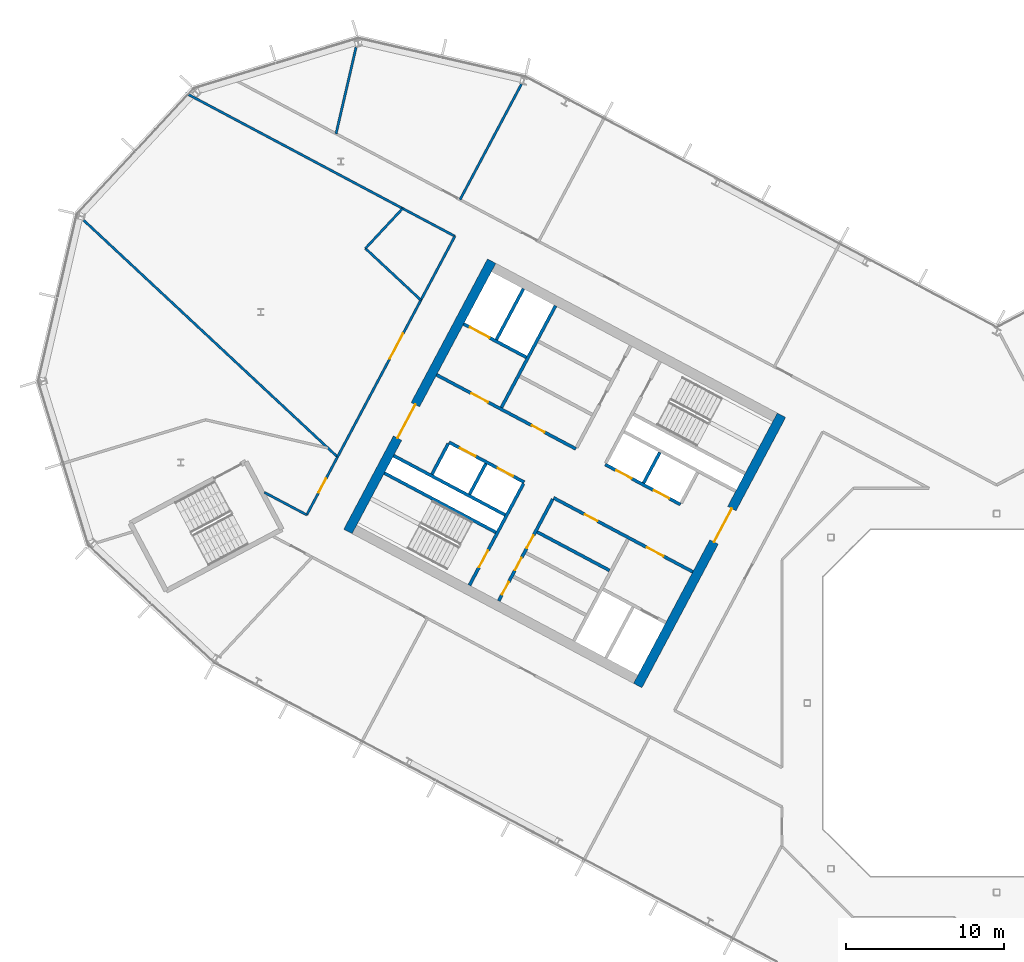
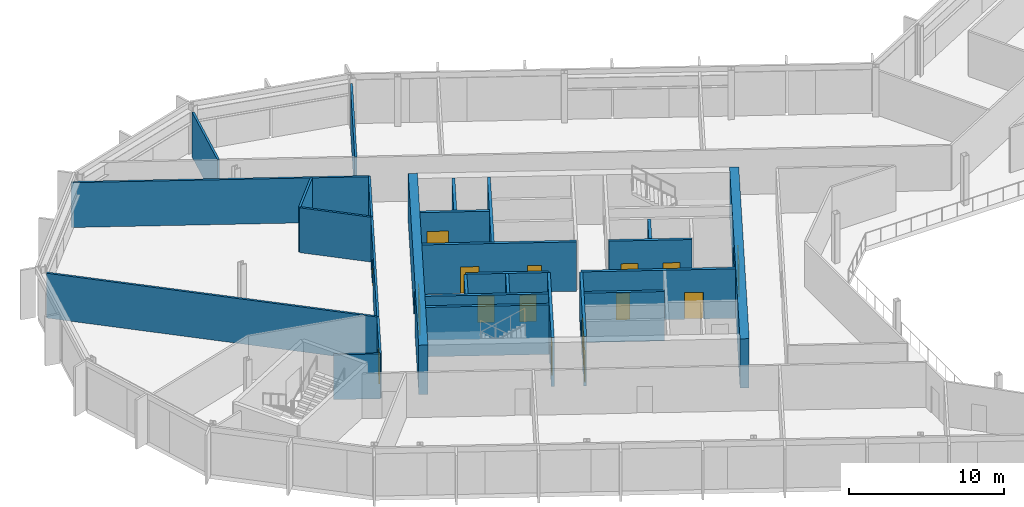
# One storey, part 14 of 27: 26 walls, 17 doors, 17 openings.
"""IFC4 building model written with IfcOpenShell, lengths in metres."""

import ifcopenshell
import ifcopenshell.guid

model = None  # the IFC model being written
_history = None  # IfcOwnerHistory: only IFC2X3 demands one
_inside = {}  # id of a spatial element -> (the spatial element, [elements in it])
_under = {}  # id of a project, library or spatial element -> (it, [spatial elements below it])
_declared = {}  # id of a project -> (the project, [libraries it declares])
_typed = {}  # id of a type object -> (the type object, [elements of that type])
_made_of = {}  # id of a material, layer set ... -> (it, [elements and type objects made of it])


def new_model(schema):
    """Start an empty IFC model of exactly this schema.

    Asked for "IFC4X3", IfcOpenShell would pick the latest addendum, in which some entities
    have other attributes; the version numbers below select the first issue.
    IFC2X3 requires an IfcOwnerHistory on every rooted entity: one is made here for all.
    """
    global model, _history
    if schema == "IFC4X3":
        model = ifcopenshell.file(schema_version=(4, 3, 0, 0))
    else:
        model = ifcopenshell.file(schema=schema)
    _inside.clear()
    _under.clear()
    _declared.clear()
    _typed.clear()
    _made_of.clear()
    _history = None
    if model.schema == "IFC2X3":
        org = make("IfcOrganization", Name="unknown")
        user = make(
            "IfcPersonAndOrganization",
            ThePerson=make("IfcPerson", FamilyName="unknown"),
            TheOrganization=org,
        )
        app = make(
            "IfcApplication",
            ApplicationDeveloper=org,
            Version="unknown",
            ApplicationFullName="unknown",
            ApplicationIdentifier="unknown",
        )
        _history = make(
            "IfcOwnerHistory",
            OwningUser=user,
            OwningApplication=app,
            ChangeAction="ADDED",
            CreationDate=0,
        )
    return model


def make(cls, **values):
    """One entity of the class cls with the attributes given. An attribute that is None is left unset."""
    return model.create_entity(
        cls, **{name: value for name, value in values.items() if value is not None}
    )


def rooted(cls, **values):
    """An entity with a GlobalId (a new one), such as an element, a storey or a relation."""
    return make(cls, GlobalId=ifcopenshell.guid.new(), OwnerHistory=_history, **values)


def si_unit(unit_type, name, prefix=None):
    """IfcSIUnit, for example si_unit("LENGTHUNIT", "METRE", prefix="MILLI")."""
    return make("IfcSIUnit", UnitType=unit_type, Prefix=prefix, Name=name)


def assignment(units):
    """IfcUnitAssignment: the units of a project."""
    return None if units is None else make("IfcUnitAssignment", Units=units)


def point(xyz):
    """IfcCartesianPoint."""
    return None if xyz is None else make("IfcCartesianPoint", Coordinates=xyz)


def direction(xyz):
    """IfcDirection."""
    return None if xyz is None else make("IfcDirection", DirectionRatios=xyz)


def frame(location, z_axis=None, x_axis=None):
    """IfcAxis2Placement3D, a coordinate frame: its origin and axes. An axis left out is left unset."""
    return make(
        "IfcAxis2Placement3D",
        Location=point(location),
        Axis=direction(z_axis),
        RefDirection=direction(x_axis),
    )


def frame_2d(location, x_axis=None):
    """IfcAxis2Placement2D, a coordinate frame in the plane: its origin and x axis."""
    return make(
        "IfcAxis2Placement2D", Location=point(location), RefDirection=direction(x_axis)
    )


def origin():
    """The frame at (0, 0, 0) with its axes left unset."""
    return frame((0.0, 0.0, 0.0))


def place(relative_to, where):
    """IfcLocalPlacement: puts the frame where relative to a parent placement (None: the world)."""
    return make(
        "IfcLocalPlacement", PlacementRelTo=relative_to, RelativePlacement=where
    )


def context(
    kind, dimensions, precision=None, world=None, true_north=None, identifier=None
):
    """IfcGeometricRepresentationContext, for example the 3D "Model" context."""
    return make(
        "IfcGeometricRepresentationContext",
        ContextIdentifier=identifier,
        ContextType=kind,
        CoordinateSpaceDimension=dimensions,
        Precision=precision,
        WorldCoordinateSystem=world,
        TrueNorth=true_north,
    )


def subcontext(parent, identifier, kind, view, scale=None):
    """IfcGeometricRepresentationSubContext, for example "Body" below "Model"."""
    return make(
        "IfcGeometricRepresentationSubContext",
        ContextIdentifier=identifier,
        ContextType=kind,
        ParentContext=parent,
        TargetScale=scale,
        TargetView=view,
    )


def project(units=None, contexts=None):
    """IfcProject with its units and contexts."""
    return rooted(
        "IfcProject",
        Name="project",
        RepresentationContexts=contexts,
        UnitsInContext=assignment(units),
    )


def spatial(cls, under=None, at=None, **own):
    """A site, building, storey or space (cls), placed at a placement, below another one or the project."""
    s = rooted(cls, ObjectPlacement=at, **own)
    if under is not None:
        _under.setdefault(under.id(), (under, []))[1].append(s)
    return s


def profile(cls, at=None, kind="AREA", **sizes):
    """A parametric profile (cls). Its sizes go by their IFC names, for example OverallWidth=200.0."""
    return make(cls, ProfileType=kind, Position=at, **sizes)


def rectangle(**sizes):
    """IfcRectangleProfileDef."""
    return profile("IfcRectangleProfileDef", **sizes)


def extrude(swept, where, along, depth):
    """IfcExtrudedAreaSolid: the profile swept, set in the frame where, extruded along a direction by depth."""
    return make(
        "IfcExtrudedAreaSolid",
        SweptArea=swept,
        Position=where,
        ExtrudedDirection=direction(along),
        Depth=depth,
    )


def shape(context_of_items, identifier, shape_type, items):
    """IfcShapeRepresentation: the items that make up one representation, for example the "Body"."""
    return make(
        "IfcShapeRepresentation",
        ContextOfItems=context_of_items,
        RepresentationIdentifier=identifier,
        RepresentationType=shape_type,
        Items=items,
    )


def material(Name=None, Category=None):
    """IfcMaterial."""
    return make("IfcMaterial", Name=Name, Category=Category)


def layer(
    of_material, thickness, ventilated=None, Name=None, Category=None, Priority=None
):
    """IfcMaterialLayer: one layer of a wall or slab, of a material (None: an air gap)."""
    return make(
        "IfcMaterialLayer",
        Material=of_material,
        LayerThickness=thickness,
        IsVentilated=ventilated,
        Name=Name,
        Category=Category,
        Priority=Priority,
    )


def layer_set(layers, Name=None):
    """IfcMaterialLayerSet."""
    return make("IfcMaterialLayerSet", MaterialLayers=layers, LayerSetName=Name)


def made_of(thing, what):
    """Note that an element or type object is made of a material, layer set ...; save() writes the relation."""
    if what is not None:
        _made_of.setdefault(what.id(), (what, []))[1].append(thing)
    return thing


def type_object(cls, material=None, **own):
    """A type object (cls), such as IfcWallType, which elements share."""
    return made_of(rooted(cls, **own), material)


def element(
    cls,
    number,
    at=None,
    inside=None,
    cuts=None,
    type_object=None,
    material=None,
    context=None,
    identifier="Body",
    shape_type=None,
    held_by="IfcProductDefinitionShape",
    body=None,
    shapes=None,
    **own,
):
    """One element of the class cls, such as IfcWall. Its Tag is "e" and its number.

    at: its placement. inside: the storey or other place that contains it. cuts: it is an
    opening in that element (IfcRelVoidsElement). A single representation is given by context,
    identifier, shape_type and body (its items); several are given by shapes. held_by: the class
    of the entity that holds the representations. save() writes the other relations.
    """
    e = rooted(cls, Tag="e%d" % number, ObjectPlacement=at, **own)
    if body is not None:
        shapes = [shape(context, identifier, shape_type, body)]
    if shapes is not None:
        e.Representation = make(held_by, Representations=shapes)
    if inside is not None:
        _inside.setdefault(inside.id(), (inside, []))[1].append(e)
    if cuts is not None:
        rooted(
            "IfcRelVoidsElement", RelatingBuildingElement=cuts, RelatedOpeningElement=e
        )
    if type_object is not None:
        _typed.setdefault(type_object.id(), (type_object, []))[1].append(e)
    return made_of(e, material)


def fill(opening, filler):
    """IfcRelFillsElement: the door or window that sits in an opening."""
    return rooted(
        "IfcRelFillsElement",
        RelatingOpeningElement=opening,
        RelatedBuildingElement=filler,
    )


def aggregate(whole, parts):
    """IfcRelAggregates: a whole, such as a stair, and the parts it consists of."""
    return rooted("IfcRelAggregates", RelatingObject=whole, RelatedObjects=parts)


def save(model, path):
    """Write the relations noted so far, then the file.

    IfcRelAggregates (storeys below a building ...), IfcRelContainedInSpatialStructure (elements
    in a storey), IfcRelDefinesByType, IfcRelAssociatesMaterial and IfcRelDeclares: one each for
    every whole, place, type object, material and project.
    """
    for whole, parts in _under.values():
        aggregate(whole, parts)
    for where, things in _inside.values():
        rooted(
            "IfcRelContainedInSpatialStructure",
            RelatedElements=things,
            RelatingStructure=where,
        )
    for kind, things in _typed.values():
        rooted("IfcRelDefinesByType", RelatedObjects=things, RelatingType=kind)
    for what, things in _made_of.values():
        rooted("IfcRelAssociatesMaterial", RelatedObjects=things, RelatingMaterial=what)
    for by, libraries in _declared.values():
        rooted("IfcRelDeclares", RelatingContext=by, RelatedDefinitions=libraries)
    model.write(path)


model = new_model("IFC4")

# Units and contexts
model_context = context("Model", 3, precision=1e-05, world=origin(), true_north=direction((0.0, 1.0)))
body_context = subcontext(model_context, "Body", "Model", "MODEL_VIEW")
ifc_project = project(units=[si_unit("LENGTHUNIT", "METRE"), si_unit("AREAUNIT", "SQUARE_METRE"), si_unit("VOLUMEUNIT", "CUBIC_METRE"), si_unit("PLANEANGLEUNIT", "RADIAN"), si_unit("MASSUNIT", "GRAM", prefix="KILO")], contexts=[model_context])

# Site, building, storey
site_placement = place(None, origin())
site = spatial("IfcSite", under=ifc_project, at=site_placement, CompositionType="ELEMENT")
building_placement = place(site_placement, origin())
building = spatial("IfcBuilding", under=site, at=building_placement, Name="Cormorant Relay Tower", CompositionType="ELEMENT")
storey_placement = place(building_placement, frame((0.0, 0.0, 224.699951171875)))
storey = spatial("IfcBuildingStorey", under=building, at=storey_placement, Name="L49", CompositionType="ELEMENT", Elevation=224.699951171875)

# Walls
ifc_material_1 = material(Name="Concrete 40 MPa", Category="concrete")
ifc_layer_1 = layer(ifc_material_1, 0.199951171875)
ifc_layer_set_1 = layer_set([ifc_layer_1], Name="Core internal wall 200")
wall_type_1 = type_object("IfcWallType", Name="Core internal wall 200", PredefinedType="SOLIDWALL", material=ifc_layer_set_1)
wall_1_placement = place(storey_placement, frame((-21.34375, 15.87890625, 0.0), z_axis=(0.0, 0.0, 1.0), x_axis=(-0.4694473164, -0.882960484464, 0.0)))
element("IfcWall", 1, at=wall_1_placement, inside=storey, type_object=wall_type_1, Name="L49 core A shaft and room wall", PredefinedType="SOLIDWALL", context=body_context, shape_type="SweptSolid", body=[
    extrude(rectangle(XDim=2.199951171875, YDim=0.199951171875, at=frame_2d((1.10009765625, 0.0))), origin(), (0.0, 0.0, 1.0), 3.900146484375),
])
wall_2_placement = place(storey_placement, frame((-32.3662109375, 15.1708984375, 0.0), z_axis=(0.0, 0.0, 1.0), x_axis=(-0.469487830541, -0.882938942948, 0.0)))
element("IfcWall", 2, at=wall_2_placement, inside=storey, type_object=wall_type_1, Name="L49 core A shaft and room wall", PredefinedType="SOLIDWALL", context=body_context, shape_type="SweptSolid", body=[
    extrude(rectangle(XDim=2.2001953125, YDim=0.199951171875, at=frame_2d((1.10009765625, 0.0))), origin(), (0.0, 0.0, 1.0), 3.900146484375),
])

# Wall, openings, doors
ifc_material_2 = material(Name="Concrete 50 MPa", Category="concrete")
ifc_layer_2 = layer(ifc_material_2, 0.199951171875)
ifc_layer_set_2 = layer_set([ifc_layer_2], Name="Core shaft wall 200")
wall_type_2 = type_object("IfcWallType", Name="Core shaft wall 200", PredefinedType="SHEAR", material=ifc_layer_set_2)
wall_3_placement = place(storey_placement, frame((-28.128173828125, 12.91748046875, 0.0), z_axis=(0.0, 0.0, 1.0), x_axis=(-0.469454336211, -0.882956752176, 0.0)))
wall_3 = element("IfcWall", 3, at=wall_3_placement, inside=storey, type_object=wall_type_2, Name="L49 core A shaft wall", PredefinedType="SHEAR", context=body_context, shape_type="SweptSolid", body=[
    extrude(rectangle(XDim=7.300048828125, YDim=0.199951171875, at=frame_2d((3.64990234375, 0.0))), origin(), (0.0, 0.0, 1.0), 3.900146484375),
])
opening_1_placement = place(wall_3_placement, frame((2.60009765625, 0.0, 0.0)))
opening_1 = element("IfcOpeningElement", 4, at=opening_1_placement, cuts=wall_3, Name="Opening CDD-278", PredefinedType="OPENING", context=body_context, shape_type="SweptSolid", body=[
    extrude(rectangle(XDim=0.89990234375, YDim=2.10009765625, at=frame_2d((0.449951171875, 1.050048828125))), frame((0.0, 0.10986328125, 0.0), z_axis=(0.0, -1.0, 0.0), x_axis=(1.0, 0.0, 0.0)), (0.0, 0.0, 1.0), 0.219970703125),
])
opening_2_placement = place(wall_3_placement, frame((4.199951171875, 0.0, 0.0)))
opening_2 = element("IfcOpeningElement", 5, at=opening_2_placement, cuts=wall_3, Name="Opening CDD-279", PredefinedType="OPENING", context=body_context, shape_type="SweptSolid", body=[
    extrude(rectangle(XDim=0.89990234375, YDim=2.10009765625, at=frame_2d((0.449951171875, 1.050048828125))), frame((0.0, 0.10986328125, 0.0), z_axis=(0.0, -1.0, 0.0), x_axis=(1.0, 0.0, 0.0)), (0.0, 0.0, 1.0), 0.219970703125),
])
opening_3_placement = place(wall_3_placement, frame((5.949951171875, 0.0, 0.0)))
opening_3 = element("IfcOpeningElement", 6, at=opening_3_placement, cuts=wall_3, Name="Opening CDD-280", PredefinedType="OPENING", context=body_context, shape_type="SweptSolid", body=[
    extrude(rectangle(XDim=0.89990234375, YDim=2.10009765625, at=frame_2d((0.449951171875, 1.050048828125))), frame((0.0, 0.10986328125, 0.0), z_axis=(0.0, -1.0, 0.0), x_axis=(1.0, 0.0, 0.0)), (0.0, 0.0, 1.0), 0.219970703125),
])
ifc_material_3 = material(Name="Steel fire door", Category="steel")
door_type_1 = type_object("IfcDoorType", Name="Core room door 900x2100", OperationType="SINGLE_SWING_LEFT", PredefinedType="DOOR", material=ifc_material_3)
door_1_placement = place(opening_1_placement, origin())
door_1 = element("IfcDoor", 7, at=door_1_placement, inside=storey, type_object=door_type_1, Name="Core room door 900x2100", OperationType="SINGLE_SWING_LEFT", OverallHeight=2.10009765625, OverallWidth=0.89990234375, PredefinedType="DOOR", context=body_context, shape_type="SweptSolid", body=[
    extrude(rectangle(XDim=0.89990234375, YDim=2.10009765625, at=frame_2d((0.449951171875, 1.050048828125))), frame((0.0, 0.02490234375, 0.0), z_axis=(0.0, -1.0, 0.0), x_axis=(1.0, 0.0, 0.0)), (0.0, 0.0, 1.0), 0.050048828125),
])
fill(opening_1, door_1)
door_2_placement = place(opening_2_placement, origin())
door_2 = element("IfcDoor", 8, at=door_2_placement, inside=storey, type_object=door_type_1, Name="Core room door 900x2100", OperationType="SINGLE_SWING_LEFT", OverallHeight=2.10009765625, OverallWidth=0.89990234375, PredefinedType="DOOR", context=body_context, shape_type="SweptSolid", body=[
    extrude(rectangle(XDim=0.89990234375, YDim=2.10009765625, at=frame_2d((0.449951171875, 1.050048828125))), frame((0.0, 0.02490234375, 0.0), z_axis=(0.0, -1.0, 0.0), x_axis=(1.0, 0.0, 0.0)), (0.0, 0.0, 1.0), 0.050048828125),
])
fill(opening_2, door_2)
door_3_placement = place(opening_3_placement, origin())
door_3 = element("IfcDoor", 9, at=door_3_placement, inside=storey, type_object=door_type_1, Name="Core room door 900x2100", OperationType="SINGLE_SWING_LEFT", OverallHeight=2.10009765625, OverallWidth=0.89990234375, PredefinedType="DOOR", context=body_context, shape_type="SweptSolid", body=[
    extrude(rectangle(XDim=0.89990234375, YDim=2.10009765625, at=frame_2d((0.449951171875, 1.050048828125))), frame((0.0, 0.02490234375, 0.0), z_axis=(0.0, -1.0, 0.0), x_axis=(1.0, 0.0, 0.0)), (0.0, 0.0, 1.0), 0.050048828125),
])
fill(opening_3, door_3)

# Wall, opening, door
wall_4_placement = place(storey_placement, frame((-29.982421875, 13.9033203125, 0.0), z_axis=(0.0, 0.0, 1.0), x_axis=(-0.469454336211, -0.882956752176, 0.0)))
wall_4 = element("IfcWall", 10, at=wall_4_placement, inside=storey, type_object=wall_type_2, Name="L49 core A shaft wall", PredefinedType="SHEAR", context=body_context, shape_type="SweptSolid", body=[
    extrude(rectangle(XDim=7.300048828125, YDim=0.199951171875, at=frame_2d((3.64990234375, 0.0))), origin(), (0.0, 0.0, 1.0), 3.900146484375),
])
opening_4_placement = place(wall_4_placement, frame((4.800048828125, 0.0, 0.0)))
opening_4 = element("IfcOpeningElement", 11, at=opening_4_placement, cuts=wall_4, Name="Opening CDB-039", PredefinedType="OPENING", context=body_context, shape_type="SweptSolid", body=[
    extrude(rectangle(XDim=1.199951171875, YDim=2.10009765625, at=frame_2d((0.60009765625, 1.050048828125))), frame((0.0, 0.10986328125, 0.0), z_axis=(0.0, -1.0, 0.0), x_axis=(1.0, 0.0, 0.0)), (0.0, 0.0, 1.0), 0.219970703125),
])
ifc_material_4 = material(Name="Steel fire door", Category="steel")
door_type_2 = type_object("IfcDoorType", Name="Core stair door 1200x2100", OperationType="SINGLE_SWING_LEFT", PredefinedType="DOOR", material=ifc_material_4)
door_4_placement = place(opening_4_placement, frame((1.199951171875, 0.0, 0.0), z_axis=(0.0, 0.0, 1.0), x_axis=(-1.0, 0.0, 0.0)))
door_4 = element("IfcDoor", 12, at=door_4_placement, inside=storey, type_object=door_type_2, Name="Core stair door 1200x2100", OperationType="SINGLE_SWING_RIGHT", OverallHeight=2.10009765625, OverallWidth=1.199951171875, PredefinedType="DOOR", context=body_context, shape_type="SweptSolid", body=[
    extrude(rectangle(XDim=1.199951171875, YDim=2.10009765625, at=frame_2d((0.60009765625, 1.050048828125))), frame((0.0, 0.02490234375, 0.0), z_axis=(0.0, -1.0, 0.0), x_axis=(1.0, 0.0, 0.0)), (0.0, 0.0, 1.0), 0.050048828125),
])
fill(opening_4, door_4)

# Walls
wall_5_placement = place(storey_placement, frame((-27.955322265625, 25.170654296875, 0.0), z_axis=(0.0, 0.0, 1.0), x_axis=(-0.469480409012, -0.88294288918, 0.0)))
element("IfcWall", 13, at=wall_5_placement, inside=storey, type_object=wall_type_2, Name="L49 core A shaft wall", PredefinedType="SHEAR", context=body_context, shape_type="SweptSolid", body=[
    extrude(rectangle(XDim=7.300048828125, YDim=0.199951171875, at=frame_2d((3.64990234375, 0.0))), origin(), (0.0, 0.0, 1.0), 3.900146484375),
])
wall_6_placement = place(storey_placement, frame((-34.750244140625, 16.4384765625, 0.0), z_axis=(0.0, 0.0, 1.0), x_axis=(-0.469401318492, -0.882984938828, 0.0)))
element("IfcWall", 14, at=wall_6_placement, inside=storey, type_object=wall_type_2, Name="L49 core A shaft wall", PredefinedType="SHEAR", context=body_context, shape_type="SweptSolid", body=[
    extrude(rectangle(XDim=2.199951171875, YDim=0.199951171875, at=frame_2d((1.10009765625, 0.0))), origin(), (0.0, 0.0, 1.0), 3.900146484375),
])
wall_7_placement = place(storey_placement, frame((-29.986083984375, 26.250244140625, 0.0), z_axis=(0.0, 0.0, 1.0), x_axis=(-0.469494272526, -0.882935517501, 0.0)))
element("IfcWall", 15, at=wall_7_placement, inside=storey, type_object=wall_type_2, Name="L49 core A shaft wall", PredefinedType="SHEAR", context=body_context, shape_type="SweptSolid", body=[
    extrude(rectangle(XDim=3.64990234375, YDim=0.199951171875, at=frame_2d((1.824951171875, 0.0))), origin(), (0.0, 0.0, 1.0), 3.900146484375),
])

# Wall, opening, door
wall_8_placement = place(storey_placement, frame((-29.80419921875, 21.906494140625, 0.0), z_axis=(0.0, 0.0, 1.0), x_axis=(-0.882960433586, 0.469447412093, 0.0)))
wall_8 = element("IfcWall", 16, at=wall_8_placement, inside=storey, type_object=wall_type_2, Name="L49 core A shaft wall", PredefinedType="SHEAR", context=body_context, shape_type="SweptSolid", body=[
    extrude(rectangle(XDim=4.5, YDim=0.199951171875, at=frame_2d((2.25, 0.0))), origin(), (0.0, 0.0, 1.0), 3.900146484375),
])
opening_5_placement = place(wall_8_placement, frame((2.64990234375, 0.0, 0.0)))
opening_5 = element("IfcOpeningElement", 17, at=opening_5_placement, cuts=wall_8, Name="Opening LD3-015", PredefinedType="OPENING", context=body_context, shape_type="SweptSolid", body=[
    extrude(rectangle(XDim=1.39990234375, YDim=2.39990234375, at=frame_2d((0.699951171875, 1.199951171875))), frame((0.0, 0.10986328125, 0.0), z_axis=(0.0, -1.0, 0.0), x_axis=(1.0, 0.0, 0.0)), (0.0, 0.0, 1.0), 0.219970703125),
])
ifc_material_5 = material(Name="Stainless steel 316", Category="steel")
door_type_3 = type_object("IfcDoorType", Name="Lift landing door 1400x2400", OperationType="DOUBLE_DOOR_SLIDING", PredefinedType="DOOR", material=ifc_material_5)
door_5_placement = place(opening_5_placement, origin())
door_5 = element("IfcDoor", 18, at=door_5_placement, inside=storey, type_object=door_type_3, Name="SV1 landing door", OperationType="DOUBLE_DOOR_SLIDING", OverallHeight=2.39990234375, OverallWidth=1.39990234375, PredefinedType="DOOR", context=body_context, shape_type="SweptSolid", body=[
    extrude(rectangle(XDim=1.39990234375, YDim=2.39990234375, at=frame_2d((0.699951171875, 1.199951171875))), frame((0.0, 0.02490234375, 0.0), z_axis=(0.0, -1.0, 0.0), x_axis=(1.0, 0.0, 0.0)), (0.0, 0.0, 1.0), 0.050048828125),
])
fill(opening_5, door_5)

# Wall, openings, doors
wall_9_placement = place(storey_placement, frame((-20.03955078125, 12.58056640625, 0.0), z_axis=(0.0, 0.0, 1.0), x_axis=(-0.882942972946, 0.469480251476, 0.0)))
wall_9 = element("IfcWall", 19, at=wall_9_placement, inside=storey, type_object=wall_type_2, Name="L49 core A shaft wall", PredefinedType="SHEAR", context=body_context, shape_type="SweptSolid", body=[
    extrude(rectangle(XDim=5.39990234375, YDim=0.199951171875, at=frame_2d((2.699951171875, 0.0))), origin(), (0.0, 0.0, 1.0), 3.900146484375),
])
opening_6_placement = place(wall_9_placement, frame((0.800048828125, 0.0, 0.0)))
opening_6 = element("IfcOpeningElement", 20, at=opening_6_placement, cuts=wall_9, Name="Opening LD1-061", PredefinedType="OPENING", context=body_context, shape_type="SweptSolid", body=[
    extrude(rectangle(XDim=1.10009765625, YDim=2.10009765625, at=frame_2d((0.550048828125, 1.050048828125))), frame((0.0, 0.10986328125, 0.0), z_axis=(0.0, -1.0, 0.0), x_axis=(1.0, 0.0, 0.0)), (0.0, 0.0, 1.0), 0.219970703125),
])
opening_7_placement = place(wall_9_placement, frame((3.5, 0.0, 0.0)))
opening_7 = element("IfcOpeningElement", 21, at=opening_7_placement, cuts=wall_9, Name="Opening LD1-062", PredefinedType="OPENING", context=body_context, shape_type="SweptSolid", body=[
    extrude(rectangle(XDim=1.10009765625, YDim=2.10009765625, at=frame_2d((0.550048828125, 1.050048828125))), frame((0.0, 0.10986328125, 0.0), z_axis=(0.0, -1.0, 0.0), x_axis=(1.0, 0.0, 0.0)), (0.0, 0.0, 1.0), 0.219970703125),
])
ifc_material_6 = material(Name="Stainless steel 316", Category="steel")
door_type_4 = type_object("IfcDoorType", Name="Lift landing door 1100x2100", OperationType="DOUBLE_DOOR_SLIDING", PredefinedType="DOOR", material=ifc_material_6)
door_6_placement = place(opening_6_placement, origin())
door_6 = element("IfcDoor", 22, at=door_6_placement, inside=storey, type_object=door_type_4, Name="MR3 landing door", OperationType="DOUBLE_DOOR_SLIDING", OverallHeight=2.10009765625, OverallWidth=1.10009765625, PredefinedType="DOOR", context=body_context, shape_type="SweptSolid", body=[
    extrude(rectangle(XDim=1.10009765625, YDim=2.10009765625, at=frame_2d((0.550048828125, 1.050048828125))), frame((0.0, 0.02490234375, 0.0), z_axis=(0.0, -1.0, 0.0), x_axis=(1.0, 0.0, 0.0)), (0.0, 0.0, 1.0), 0.050048828125),
])
fill(opening_6, door_6)
door_7_placement = place(opening_7_placement, origin())
door_7 = element("IfcDoor", 23, at=door_7_placement, inside=storey, type_object=door_type_4, Name="MR4 landing door", OperationType="DOUBLE_DOOR_SLIDING", OverallHeight=2.10009765625, OverallWidth=1.10009765625, PredefinedType="DOOR", context=body_context, shape_type="SweptSolid", body=[
    extrude(rectangle(XDim=1.10009765625, YDim=2.10009765625, at=frame_2d((0.550048828125, 1.050048828125))), frame((0.0, 0.02490234375, 0.0), z_axis=(0.0, -1.0, 0.0), x_axis=(1.0, 0.0, 0.0)), (0.0, 0.0, 1.0), 0.050048828125),
])
fill(opening_7, door_7)

wall_10_placement = place(storey_placement, frame((-26.66162109375, 16.1015625, 0.0), z_axis=(0.0, 0.0, 1.0), x_axis=(-0.882940221191, 0.469485426614, 0.0)))
wall_10 = element("IfcWall", 24, at=wall_10_placement, inside=storey, type_object=wall_type_2, Name="L49 core A shaft wall", PredefinedType="SHEAR", context=body_context, shape_type="SweptSolid", body=[
    extrude(rectangle(XDim=10.0, YDim=0.199951171875, at=frame_2d((5.0, 0.0))), origin(), (0.0, 0.0, 1.0), 3.900146484375),
])
opening_8_placement = place(wall_10_placement, frame((6.300048828125, 0.0, 0.0)))
opening_8 = element("IfcOpeningElement", 25, at=opening_8_placement, cuts=wall_10, Name="Opening CDC-034", PredefinedType="OPENING", context=body_context, shape_type="SweptSolid", body=[
    extrude(rectangle(XDim=1.199951171875, YDim=2.10009765625, at=frame_2d((0.60009765625, 1.050048828125))), frame((0.0, 0.10986328125, 0.0), z_axis=(0.0, -1.0, 0.0), x_axis=(1.0, 0.0, 0.0)), (0.0, 0.0, 1.0), 0.219970703125),
])
opening_9_placement = place(wall_10_placement, frame((2.25, 0.0, 0.0)))
opening_9 = element("IfcOpeningElement", 26, at=opening_9_placement, cuts=wall_10, Name="Opening CDD-255", PredefinedType="OPENING", context=body_context, shape_type="SweptSolid", body=[
    extrude(rectangle(XDim=0.89990234375, YDim=2.10009765625, at=frame_2d((0.449951171875, 1.050048828125))), frame((0.0, 0.10986328125, 0.0), z_axis=(0.0, -1.0, 0.0), x_axis=(1.0, 0.0, 0.0)), (0.0, 0.0, 1.0), 0.219970703125),
])
ifc_material_7 = material(Name="Steel fire door", Category="steel")
door_type_5 = type_object("IfcDoorType", Name="Core lobby door 1200x2100", OperationType="SINGLE_SWING_LEFT", PredefinedType="DOOR", material=ifc_material_7)
door_8_placement = place(opening_8_placement, origin())
door_8 = element("IfcDoor", 27, at=door_8_placement, inside=storey, type_object=door_type_5, Name="Core lobby door 1200x2100", OperationType="SINGLE_SWING_LEFT", OverallHeight=2.10009765625, OverallWidth=1.199951171875, PredefinedType="DOOR", context=body_context, shape_type="SweptSolid", body=[
    extrude(rectangle(XDim=1.199951171875, YDim=2.10009765625, at=frame_2d((0.60009765625, 1.050048828125))), frame((0.0, 0.02490234375, 0.0), z_axis=(0.0, -1.0, 0.0), x_axis=(1.0, 0.0, 0.0)), (0.0, 0.0, 1.0), 0.050048828125),
])
fill(opening_8, door_8)
door_9_placement = place(opening_9_placement, origin())
door_9 = element("IfcDoor", 28, at=door_9_placement, inside=storey, type_object=door_type_1, Name="Core room door 900x2100", OperationType="SINGLE_SWING_LEFT", OverallHeight=2.10009765625, OverallWidth=0.89990234375, PredefinedType="DOOR", context=body_context, shape_type="SweptSolid", body=[
    extrude(rectangle(XDim=0.89990234375, YDim=2.10009765625, at=frame_2d((0.449951171875, 1.050048828125))), frame((0.0, 0.02490234375, 0.0), z_axis=(0.0, -1.0, 0.0), x_axis=(1.0, 0.0, 0.0)), (0.0, 0.0, 1.0), 0.050048828125),
])
fill(opening_9, door_9)

wall_11_placement = place(storey_placement, frame((-19.251708984375, 8.31103515625, 0.0), z_axis=(0.0, 0.0, 1.0), x_axis=(-0.882955722218, 0.469456273365, 0.0)))
wall_11 = element("IfcWall", 29, at=wall_11_placement, inside=storey, type_object=wall_type_2, Name="L49 core A shaft wall", PredefinedType="SHEAR", context=body_context, shape_type="SweptSolid", body=[
    extrude(rectangle(XDim=10.0, YDim=0.199951171875, at=frame_2d((5.0, 0.0))), origin(), (0.0, 0.0, 1.0), 3.900146484375),
])
opening_10_placement = place(wall_11_placement, frame((2.10009765625, 0.0, 0.0)))
opening_10 = element("IfcOpeningElement", 30, at=opening_10_placement, cuts=wall_11, Name="Opening CDC-033", PredefinedType="OPENING", context=body_context, shape_type="SweptSolid", body=[
    extrude(rectangle(XDim=1.199951171875, YDim=2.10009765625, at=frame_2d((0.60009765625, 1.050048828125))), frame((0.0, 0.10986328125, 0.0), z_axis=(0.0, -1.0, 0.0), x_axis=(1.0, 0.0, 0.0)), (0.0, 0.0, 1.0), 0.219970703125),
])
opening_11_placement = place(wall_11_placement, frame((6.85009765625, 0.0, 0.0)))
opening_11 = element("IfcOpeningElement", 31, at=opening_11_placement, cuts=wall_11, Name="Opening CDD-254", PredefinedType="OPENING", context=body_context, shape_type="SweptSolid", body=[
    extrude(rectangle(XDim=0.89990234375, YDim=2.10009765625, at=frame_2d((0.449951171875, 1.050048828125))), frame((0.0, 0.10986328125, 0.0), z_axis=(0.0, -1.0, 0.0), x_axis=(1.0, 0.0, 0.0)), (0.0, 0.0, 1.0), 0.219970703125),
])
door_10_placement = place(opening_10_placement, origin())
door_10 = element("IfcDoor", 32, at=door_10_placement, inside=storey, type_object=door_type_5, Name="Core lobby door 1200x2100", OperationType="SINGLE_SWING_RIGHT", OverallHeight=2.10009765625, OverallWidth=1.199951171875, PredefinedType="DOOR", context=body_context, shape_type="SweptSolid", body=[
    extrude(rectangle(XDim=1.199951171875, YDim=2.10009765625, at=frame_2d((0.60009765625, 1.050048828125))), frame((0.0, 0.02490234375, 0.0), z_axis=(0.0, -1.0, 0.0), x_axis=(1.0, 0.0, 0.0)), (0.0, 0.0, 1.0), 0.050048828125),
])
fill(opening_10, door_10)
door_11_placement = place(opening_11_placement, origin())
door_11 = element("IfcDoor", 33, at=door_11_placement, inside=storey, type_object=door_type_1, Name="Core room door 900x2100", OperationType="SINGLE_SWING_LEFT", OverallHeight=2.10009765625, OverallWidth=0.89990234375, PredefinedType="DOOR", context=body_context, shape_type="SweptSolid", body=[
    extrude(rectangle(XDim=0.89990234375, YDim=2.10009765625, at=frame_2d((0.449951171875, 1.050048828125))), frame((0.0, 0.02490234375, 0.0), z_axis=(0.0, -1.0, 0.0), x_axis=(1.0, 0.0, 0.0)), (0.0, 0.0, 1.0), 0.050048828125),
])
fill(opening_11, door_11)

wall_12_placement = place(storey_placement, frame((-29.935302734375, 13.991455078125, 0.0), z_axis=(0.0, 0.0, 1.0), x_axis=(-0.882952937579, 0.469461510692, 0.0)))
wall_12 = element("IfcWall", 34, at=wall_12_placement, inside=storey, type_object=wall_type_2, Name="L49 core A shaft wall", PredefinedType="SHEAR", context=body_context, shape_type="SweptSolid", body=[
    extrude(rectangle(XDim=5.400146484375, YDim=0.199951171875, at=frame_2d((2.7001953125, 0.0))), origin(), (0.0, 0.0, 1.0), 3.900146484375),
])
opening_12_placement = place(wall_12_placement, frame((0.800048828125, 0.0, 0.0)))
opening_12 = element("IfcOpeningElement", 35, at=opening_12_placement, cuts=wall_12, Name="Opening LD1-059", PredefinedType="OPENING", context=body_context, shape_type="SweptSolid", body=[
    extrude(rectangle(XDim=1.10009765625, YDim=2.10009765625, at=frame_2d((0.550048828125, 1.050048828125))), frame((0.0, 0.10986328125, 0.0), z_axis=(0.0, -1.0, 0.0), x_axis=(1.0, 0.0, 0.0)), (0.0, 0.0, 1.0), 0.219970703125),
])
opening_13_placement = place(wall_12_placement, frame((3.5, 0.0, 0.0)))
opening_13 = element("IfcOpeningElement", 36, at=opening_13_placement, cuts=wall_12, Name="Opening LD1-060", PredefinedType="OPENING", context=body_context, shape_type="SweptSolid", body=[
    extrude(rectangle(XDim=1.10009765625, YDim=2.10009765625, at=frame_2d((0.550048828125, 1.050048828125))), frame((0.0, 0.10986328125, 0.0), z_axis=(0.0, -1.0, 0.0), x_axis=(1.0, 0.0, 0.0)), (0.0, 0.0, 1.0), 0.219970703125),
])
door_12_placement = place(opening_12_placement, origin())
door_12 = element("IfcDoor", 37, at=door_12_placement, inside=storey, type_object=door_type_4, Name="MR1 landing door", OperationType="DOUBLE_DOOR_SLIDING", OverallHeight=2.10009765625, OverallWidth=1.10009765625, PredefinedType="DOOR", context=body_context, shape_type="SweptSolid", body=[
    extrude(rectangle(XDim=1.10009765625, YDim=2.10009765625, at=frame_2d((0.550048828125, 1.050048828125))), frame((0.0, 0.02490234375, 0.0), z_axis=(0.0, -1.0, 0.0), x_axis=(1.0, 0.0, 0.0)), (0.0, 0.0, 1.0), 0.050048828125),
])
fill(opening_12, door_12)
door_13_placement = place(opening_13_placement, origin())
door_13 = element("IfcDoor", 38, at=door_13_placement, inside=storey, type_object=door_type_4, Name="MR2 landing door", OperationType="DOUBLE_DOOR_SLIDING", OverallHeight=2.10009765625, OverallWidth=1.10009765625, PredefinedType="DOOR", context=body_context, shape_type="SweptSolid", body=[
    extrude(rectangle(XDim=1.10009765625, YDim=2.10009765625, at=frame_2d((0.550048828125, 1.050048828125))), frame((0.0, 0.02490234375, 0.0), z_axis=(0.0, -1.0, 0.0), x_axis=(1.0, 0.0, 0.0)), (0.0, 0.0, 1.0), 0.050048828125),
])
fill(opening_13, door_13)

# Walls
wall_13_placement = place(storey_placement, frame((-24.5283203125, 8.3984375, 0.0), z_axis=(0.0, 0.0, 1.0), x_axis=(-0.882953967957, 0.469459572775, 0.0)))
element("IfcWall", 39, at=wall_13_placement, inside=storey, type_object=wall_type_2, Name="L49 core A shaft wall", PredefinedType="SHEAR", context=body_context, shape_type="SweptSolid", body=[
    extrude(rectangle(XDim=5.199951171875, YDim=0.199951171875, at=frame_2d((2.60009765625, 0.0))), origin(), (0.0, 0.0, 1.0), 3.900146484375),
])
for number, where, z_axis, x_axis, name in (
    (40, (-31.150390625, 11.91943359375, 0.0), (0.0, 0.0, 1.0), (-0.882940221191, 0.469485426614, 0.0), "L49 core A shaft wall"),
    (41, (-31.7373046875, 10.815673828125, 0.0), (0.0, 0.0, 1.0), (-0.882940221191, 0.469485426614, 0.0), "L49 core A shaft wall"),
):
    element("IfcWall", number, at=place(storey_placement, frame(where, z_axis=z_axis, x_axis=x_axis)), inside=storey, type_object=wall_type_2, Name=name, PredefinedType="SHEAR", context=body_context, shape_type="SweptSolid", body=[
        extrude(rectangle(XDim=8.0, YDim=0.199951171875, at=frame_2d((4.0, 0.0))), origin(), (0.0, 0.0, 1.0), 3.900146484375),
    ])

# Wall, opening, door
ifc_material_8 = material(Name="Concrete 50 MPa", Category="concrete")
ifc_layer_3 = layer(ifc_material_8, 0.60009765625)
ifc_layer_set_3 = layer_set([ifc_layer_3], Name="Core wall 600")
wall_type_3 = type_object("IfcWallType", Name="Core wall 600", PredefinedType="SHEAR", material=ifc_layer_set_3)
wall_14_placement = place(storey_placement, frame((-13.634765625, 18.235595703125, 0.0), z_axis=(0.0, 0.0, 1.0), x_axis=(-0.469478769487, -0.88294376095, 0.0)))
wall_14 = element("IfcWall", 42, at=wall_14_placement, inside=storey, type_object=wall_type_3, Name="L49 core A wall", PredefinedType="SHEAR", context=body_context, shape_type="SweptSolid", body=[
    extrude(rectangle(XDim=19.400146484375, YDim=0.60009765625, at=frame_2d((9.7001953125, 0.0))), origin(), (0.0, 0.0, 1.0), 3.900146484375),
])
opening_14_placement = place(wall_14_placement, frame((6.699951171875, 0.0, 0.0)))
opening_14 = element("IfcOpeningElement", 43, at=opening_14_placement, cuts=wall_14, Name="Opening CDA-045", PredefinedType="OPENING", context=body_context, shape_type="SweptSolid", body=[
    extrude(rectangle(XDim=2.39990234375, YDim=2.39990234375, at=frame_2d((1.199951171875, 1.199951171875))), frame((0.0, 0.31005859375, 0.0), z_axis=(0.0, -1.0, 0.0), x_axis=(1.0, 0.0, 0.0)), (0.0, 0.0, 1.0), 0.6201171875),
])
ifc_material_9 = material(Name="Steel fire door", Category="steel")
door_type_6 = type_object("IfcDoorType", Name="Core lobby door 2400x2400", OperationType="DOUBLE_DOOR_SINGLE_SWING", PredefinedType="DOOR", material=ifc_material_9)
door_14_placement = place(opening_14_placement, origin())
door_14 = element("IfcDoor", 44, at=door_14_placement, inside=storey, type_object=door_type_6, Name="Core lobby door 2400x2400", OperationType="DOUBLE_DOOR_SINGLE_SWING", OverallHeight=2.39990234375, OverallWidth=2.39990234375, PredefinedType="DOOR", context=body_context, shape_type="SweptSolid", body=[
    extrude(rectangle(XDim=2.39990234375, YDim=2.39990234375, at=frame_2d((1.199951171875, 1.199951171875))), frame((0.0, 0.02490234375, 0.0), z_axis=(0.0, -1.0, 0.0), x_axis=(1.0, 0.0, 0.0)), (0.0, 0.0, 1.0), 0.050048828125),
])
fill(opening_14, door_14)

wall_15_placement = place(storey_placement, frame((-32.000244140625, 28.000732421875, 0.0), z_axis=(0.0, 0.0, 1.0), x_axis=(-0.469468958625, -0.882948977511, 0.0)))
wall_15 = element("IfcWall", 45, at=wall_15_placement, inside=storey, type_object=wall_type_3, Name="L49 core A wall", PredefinedType="SHEAR", context=body_context, shape_type="SweptSolid", body=[
    extrude(rectangle(XDim=19.39990234375, YDim=0.60009765625, at=frame_2d((9.699951171875, 0.0))), origin(), (0.0, 0.0, 1.0), 3.900146484375),
])
opening_15_placement = place(wall_15_placement, frame((10.300048828125, 0.0, 0.0)))
opening_15 = element("IfcOpeningElement", 46, at=opening_15_placement, cuts=wall_15, Name="Opening CDA-041", PredefinedType="OPENING", context=body_context, shape_type="SweptSolid", body=[
    extrude(rectangle(XDim=2.39990234375, YDim=2.39990234375, at=frame_2d((1.199951171875, 1.199951171875))), frame((0.0, 0.31005859375, 0.0), z_axis=(0.0, -1.0, 0.0), x_axis=(1.0, 0.0, 0.0)), (0.0, 0.0, 1.0), 0.6201171875),
])
door_15_placement = place(opening_15_placement, origin())
door_15 = element("IfcDoor", 47, at=door_15_placement, inside=storey, type_object=door_type_6, Name="Core lobby door 2400x2400", OperationType="DOUBLE_DOOR_SINGLE_SWING", OverallHeight=2.39990234375, OverallWidth=2.39990234375, PredefinedType="DOOR", context=body_context, shape_type="SweptSolid", body=[
    extrude(rectangle(XDim=2.39990234375, YDim=2.39990234375, at=frame_2d((1.199951171875, 1.199951171875))), frame((0.0, 0.02490234375, 0.0), z_axis=(0.0, -1.0, 0.0), x_axis=(1.0, 0.0, 0.0)), (0.0, 0.0, 1.0), 0.050048828125),
])
fill(opening_15, door_15)

ifc_material_10 = material(Name="Gypsum board fire partition")
ifc_layer_4 = layer(ifc_material_10, 0.14990234375)
ifc_layer_set_4 = layer_set([ifc_layer_4], Name="Corridor partition 150 EI 60")
wall_type_4 = type_object("IfcWallType", Name="Corridor partition 150 EI 60", PredefinedType="PARTITIONING", material=ifc_layer_set_4)
wall_16_placement = place(storey_placement, frame((-41.76904296875, 15.592041015625, 0.0), z_axis=(0.0, 0.0, 1.0), x_axis=(0.469444027343, 0.882962233163, 0.0)))
wall_16 = element("IfcWall", 48, at=wall_16_placement, inside=storey, type_object=wall_type_4, Name="wall/L49/part/007", PredefinedType="PARTITIONING", context=body_context, shape_type="SweptSolid", body=[
    extrude(rectangle(XDim=15.84228515625, YDim=0.14990234375, at=frame_2d((7.921142578125, 0.0))), origin(), (0.0, 0.0, 1.0), 3.5400390625),
])
opening_16_placement = place(wall_16_placement, frame((7.050048828125, 0.0, 0.0)))
opening_16 = element("IfcOpeningElement", 49, at=opening_16_placement, cuts=wall_16, Name="Opening DD-028", PredefinedType="OPENING", context=body_context, shape_type="SweptSolid", body=[
    extrude(rectangle(XDim=1.800048828125, YDim=2.10009765625, at=frame_2d((0.89990234375, 1.050048828125))), frame((0.0, 0.0849609375, 0.0), z_axis=(0.0, -1.0, 0.0), x_axis=(1.0, 0.0, 0.0)), (0.0, 0.0, 1.0), 0.169921875),
])
ifc_material_11 = material(Name="Timber door leaf", Category="wood")
door_type_7 = type_object("IfcDoorType", Name="Suite double door 1800x2100", OperationType="DOUBLE_DOOR_SINGLE_SWING", PredefinedType="DOOR", material=ifc_material_11)
door_16_placement = place(opening_16_placement, origin())
door_16 = element("IfcDoor", 50, at=door_16_placement, inside=storey, type_object=door_type_7, Name="door/L49/005", OperationType="DOUBLE_DOOR_SINGLE_SWING", OverallHeight=2.10009765625, OverallWidth=1.800048828125, PredefinedType="DOOR", context=body_context, shape_type="SweptSolid", body=[
    extrude(rectangle(XDim=1.800048828125, YDim=2.10009765625, at=frame_2d((0.89990234375, 1.050048828125))), frame((0.0, 0.02490234375, 0.0), z_axis=(0.0, -1.0, 0.0), x_axis=(1.0, 0.0, 0.0)), (0.0, 0.0, 1.0), 0.050048828125),
])
fill(opening_16, door_16)

# Walls
wall_17_placement = place(storey_placement, frame((-34.33203125, 29.580078125, 0.0), z_axis=(0.0, 0.0, 1.0), x_axis=(-0.882939350293, 0.46948706447, 0.0)))
element("IfcWall", 51, at=wall_17_placement, inside=storey, type_object=wall_type_4, Name="wall/L49/part/008", PredefinedType="PARTITIONING", context=body_context, shape_type="SweptSolid", body=[
    extrude(rectangle(XDim=19.327392578125, YDim=0.14990234375, at=frame_2d((9.66357421875, 0.0))), origin(), (0.0, 0.0, 1.0), 3.5400390625),
])
wall_18_placement = place(storey_placement, frame((-46.403076171875, 13.346923828125, 0.0), z_axis=(0.0, 0.0, 1.0), x_axis=(0.882959580004, -0.46944901755, 0.0)))
element("IfcWall", 52, at=wall_18_placement, inside=storey, type_object=wall_type_4, Name="wall/L49/part/013", PredefinedType="PARTITIONING", context=body_context, shape_type="SweptSolid", body=[
    extrude(rectangle(XDim=3.03759765625, YDim=0.14990234375, at=frame_2d((1.518798828125, 0.0))), origin(), (0.0, 0.0, 1.0), 3.5400390625),
])

# Wall, opening, door
wall_19_placement = place(storey_placement, frame((-41.76904296875, 15.592041015625, 0.0), z_axis=(0.0, 0.0, 1.0), x_axis=(-0.468884925056, -0.883259263781, 0.0)))
wall_19 = element("IfcWall", 53, at=wall_19_placement, inside=storey, type_object=wall_type_4, Name="wall/L49/part/014", PredefinedType="PARTITIONING", context=body_context, shape_type="SweptSolid", body=[
    extrude(rectangle(XDim=4.160888671875, YDim=0.14990234375, at=frame_2d((2.08056640625, 0.0))), origin(), (0.0, 0.0, 1.0), 3.5400390625),
])
opening_17_placement = place(wall_19_placement, frame((1.550048828125, 0.0, 0.0)))
opening_17 = element("IfcOpeningElement", 54, at=opening_17_placement, cuts=wall_19, Name="Opening DS-127", PredefinedType="OPENING", context=body_context, shape_type="SweptSolid", body=[
    extrude(rectangle(XDim=1.0, YDim=2.10009765625, at=frame_2d((0.5, 1.050048828125))), frame((0.0, 0.0849609375, 0.0), z_axis=(0.0, -1.0, 0.0), x_axis=(1.0, 0.0, 0.0)), (0.0, 0.0, 1.0), 0.169921875),
])
ifc_material_12 = material(Name="Timber door leaf", Category="wood")
door_type_8 = type_object("IfcDoorType", Name="Suite door 1000x2100", OperationType="SINGLE_SWING_LEFT", PredefinedType="DOOR", material=ifc_material_12)
door_17_placement = place(opening_17_placement, frame((1.0, 0.0, 0.0), z_axis=(0.0, 0.0, 1.0), x_axis=(-1.0, 0.0, 0.0)))
door_17 = element("IfcDoor", 55, at=door_17_placement, inside=storey, type_object=door_type_8, Name="door/L49/006", OperationType="SINGLE_SWING_RIGHT", OverallHeight=2.10009765625, OverallWidth=1.0, PredefinedType="DOOR", context=body_context, shape_type="SweptSolid", body=[
    extrude(rectangle(XDim=1.0, YDim=2.10009765625, at=frame_2d((0.5, 1.050048828125))), frame((0.0, 0.02490234375, 0.0), z_axis=(0.0, -1.0, 0.0), x_axis=(1.0, 0.0, 0.0)), (0.0, 0.0, 1.0), 0.050048828125),
])
fill(opening_17, door_17)

# Walls
ifc_material_13 = material(Name="Gypsum board partition")
ifc_layer_5 = layer(ifc_material_13, 0.14990234375)
ifc_layer_set_5 = layer_set([ifc_layer_5], Name="Tenant partition 150")
wall_type_5 = type_object("IfcWallType", Name="Tenant partition 150", PredefinedType="PARTITIONING", material=ifc_layer_set_5)
wall_20_placement = place(storey_placement, frame((-37.639892578125, 31.339111328125, 0.0), z_axis=(0.0, 0.0, 1.0), x_axis=(-0.681983873773, -0.731367210035, 0.0)))
element("IfcWall", 56, at=wall_20_placement, inside=storey, type_object=wall_type_5, Name="wall/L49/part/003", PredefinedType="PARTITIONING", context=body_context, shape_type="SweptSolid", body=[
    extrude(rectangle(XDim=3.460693359375, YDim=0.14990234375, at=frame_2d((1.73046875, 0.0))), origin(), (0.0, 0.0, 1.0), 3.5400390625),
])
wall_21_placement = place(storey_placement, frame((-40.0, 28.80810546875, 0.0), z_axis=(0.0, 0.0, 1.0), x_axis=(0.731313661346, -0.682041295471, 0.0)))
element("IfcWall", 57, at=wall_21_placement, inside=storey, type_object=wall_type_5, Name="wall/L49/part/004", PredefinedType="PARTITIONING", context=body_context, shape_type="SweptSolid", body=[
    extrude(rectangle(XDim=4.80615234375, YDim=0.14990234375, at=frame_2d((2.403076171875, 0.0))), origin(), (0.0, 0.0, 1.0), 3.5400390625),
])
wall_22_placement = place(storey_placement, frame((-41.76904296875, 15.593017578125, 0.0), z_axis=(0.0, 0.0, 1.0), x_axis=(-0.731378467381, 0.681971801067, 0.0)))
element("IfcWall", 58, at=wall_22_placement, inside=storey, type_object=wall_type_5, Name="wall/L49/part/005", PredefinedType="PARTITIONING", context=body_context, shape_type="SweptSolid", body=[
    extrude(rectangle(XDim=21.999267578125, YDim=0.14990234375, at=frame_2d((10.99951171875, 0.0))), origin(), (0.0, 0.0, 1.0), 3.5400390625),
])
wall_23_placement = place(storey_placement, frame((-30.10888671875, 39.22509765625, 0.0), z_axis=(0.0, 0.0, 1.0), x_axis=(-0.469479281405, -0.882943488753, 0.0)))
element("IfcWall", 59, at=wall_23_placement, inside=storey, type_object=wall_type_5, Name="wall/L49/part/017", PredefinedType="PARTITIONING", context=body_context, shape_type="SweptSolid", body=[
    extrude(rectangle(XDim=8.298583984375, YDim=0.14990234375, at=frame_2d((4.1494140625, 0.0))), origin(), (0.0, 0.0, 1.0), 3.5400390625),
])
wall_24_placement = place(storey_placement, frame((-41.860107421875, 36.074951171875, 0.0), z_axis=(0.0, 0.0, 1.0), x_axis=(0.225075040805, 0.974341431946, 0.0)))
element("IfcWall", 60, at=wall_24_placement, inside=storey, type_object=wall_type_5, Name="wall/L49/part/018", PredefinedType="PARTITIONING", context=body_context, shape_type="SweptSolid", body=[
    extrude(rectangle(XDim=5.625244140625, YDim=0.14990234375, at=frame_2d((2.8125, 0.0))), origin(), (0.0, 0.0, 1.0), 3.5400390625),
])

save(model, "model.ifc")
